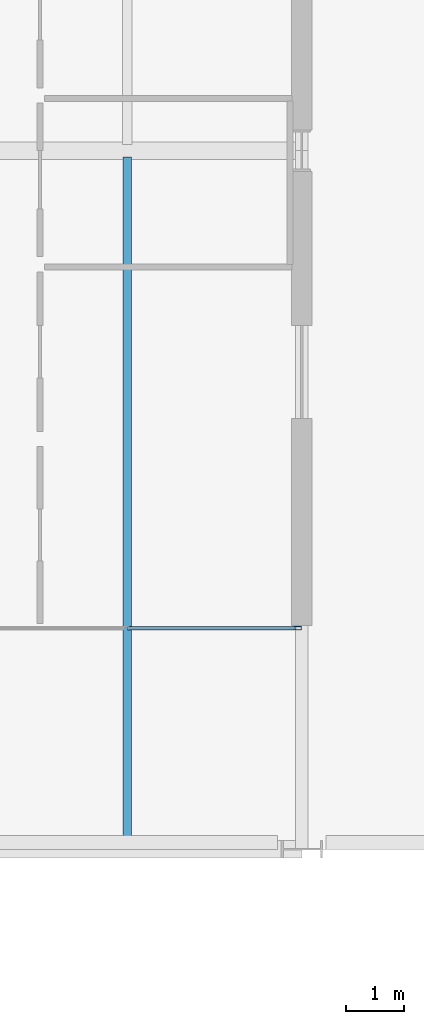
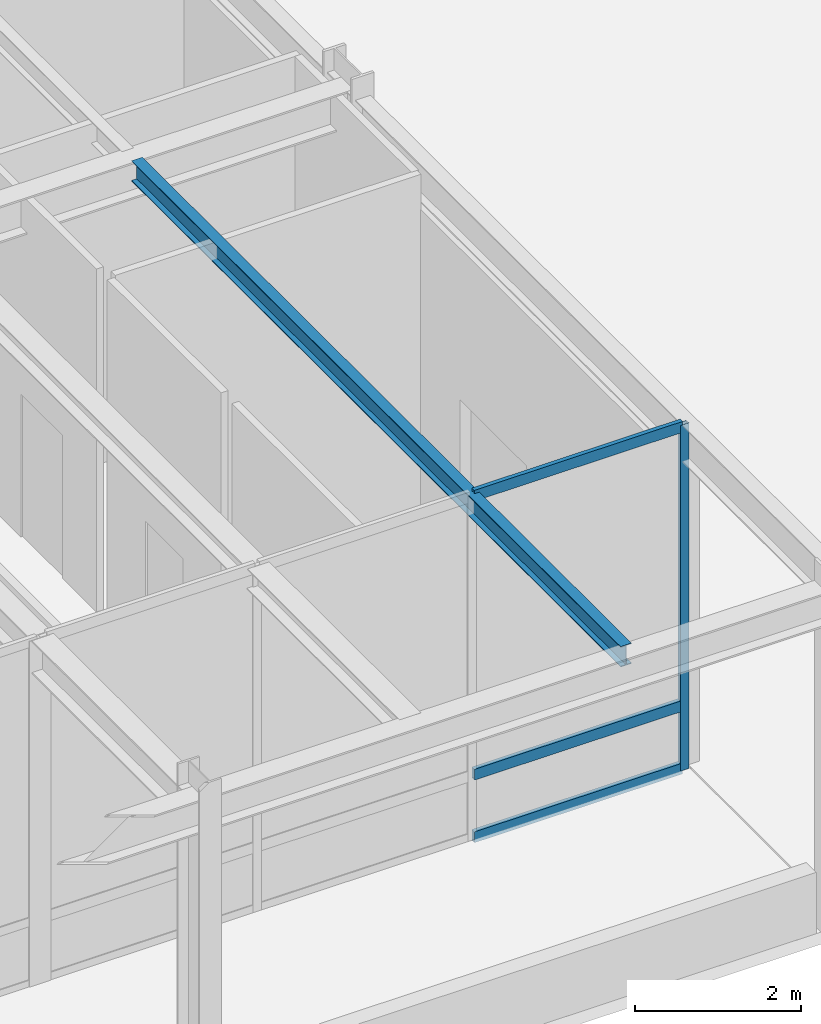
# One storey, part 93 of 143: 4 members, 1 beam, 1 element without a shape of its own.
"""IFC4 building model written with IfcOpenShell, lengths in metres."""

import ifcopenshell
import ifcopenshell.guid

model = None  # the IFC model being written
_history = None  # IfcOwnerHistory: only IFC2X3 demands one
_inside = {}  # id of a spatial element -> (the spatial element, [elements in it])
_under = {}  # id of a project, library or spatial element -> (it, [spatial elements below it])
_declared = {}  # id of a project -> (the project, [libraries it declares])
_typed = {}  # id of a type object -> (the type object, [elements of that type])
_made_of = {}  # id of a material, layer set ... -> (it, [elements and type objects made of it])


def new_model(schema):
    """Start an empty IFC model of exactly this schema.

    Asked for "IFC4X3", IfcOpenShell would pick the latest addendum, in which some entities
    have other attributes; the version numbers below select the first issue.
    IFC2X3 requires an IfcOwnerHistory on every rooted entity: one is made here for all.
    """
    global model, _history
    if schema == "IFC4X3":
        model = ifcopenshell.file(schema_version=(4, 3, 0, 0))
    else:
        model = ifcopenshell.file(schema=schema)
    _inside.clear()
    _under.clear()
    _declared.clear()
    _typed.clear()
    _made_of.clear()
    _history = None
    if model.schema == "IFC2X3":
        org = make("IfcOrganization", Name="unknown")
        user = make(
            "IfcPersonAndOrganization",
            ThePerson=make("IfcPerson", FamilyName="unknown"),
            TheOrganization=org,
        )
        app = make(
            "IfcApplication",
            ApplicationDeveloper=org,
            Version="unknown",
            ApplicationFullName="unknown",
            ApplicationIdentifier="unknown",
        )
        _history = make(
            "IfcOwnerHistory",
            OwningUser=user,
            OwningApplication=app,
            ChangeAction="ADDED",
            CreationDate=0,
        )
    return model


def make(cls, **values):
    """One entity of the class cls with the attributes given. An attribute that is None is left unset."""
    return model.create_entity(
        cls, **{name: value for name, value in values.items() if value is not None}
    )


def rooted(cls, **values):
    """An entity with a GlobalId (a new one), such as an element, a storey or a relation."""
    return make(cls, GlobalId=ifcopenshell.guid.new(), OwnerHistory=_history, **values)


def si_unit(unit_type, name, prefix=None):
    """IfcSIUnit, for example si_unit("LENGTHUNIT", "METRE", prefix="MILLI")."""
    return make("IfcSIUnit", UnitType=unit_type, Prefix=prefix, Name=name)


def assignment(units):
    """IfcUnitAssignment: the units of a project."""
    return None if units is None else make("IfcUnitAssignment", Units=units)


def point(xyz):
    """IfcCartesianPoint."""
    return None if xyz is None else make("IfcCartesianPoint", Coordinates=xyz)


def direction(xyz):
    """IfcDirection."""
    return None if xyz is None else make("IfcDirection", DirectionRatios=xyz)


def frame(location, z_axis=None, x_axis=None):
    """IfcAxis2Placement3D, a coordinate frame: its origin and axes. An axis left out is left unset."""
    return make(
        "IfcAxis2Placement3D",
        Location=point(location),
        Axis=direction(z_axis),
        RefDirection=direction(x_axis),
    )


def frame_2d(location, x_axis=None):
    """IfcAxis2Placement2D, a coordinate frame in the plane: its origin and x axis."""
    return make(
        "IfcAxis2Placement2D", Location=point(location), RefDirection=direction(x_axis)
    )


def origin():
    """The frame at (0, 0, 0) with its axes left unset."""
    return frame((0.0, 0.0, 0.0))


def origin_2d():
    """The frame at (0, 0) in the plane with its x axis left unset."""
    return frame_2d((0.0, 0.0))


def place(relative_to, where):
    """IfcLocalPlacement: puts the frame where relative to a parent placement (None: the world)."""
    return make(
        "IfcLocalPlacement", PlacementRelTo=relative_to, RelativePlacement=where
    )


def context(
    kind, dimensions, precision=None, world=None, true_north=None, identifier=None
):
    """IfcGeometricRepresentationContext, for example the 3D "Model" context."""
    return make(
        "IfcGeometricRepresentationContext",
        ContextIdentifier=identifier,
        ContextType=kind,
        CoordinateSpaceDimension=dimensions,
        Precision=precision,
        WorldCoordinateSystem=world,
        TrueNorth=true_north,
    )


def subcontext(parent, identifier, kind, view, scale=None):
    """IfcGeometricRepresentationSubContext, for example "Body" below "Model"."""
    return make(
        "IfcGeometricRepresentationSubContext",
        ContextIdentifier=identifier,
        ContextType=kind,
        ParentContext=parent,
        TargetScale=scale,
        TargetView=view,
    )


def project(units=None, contexts=None):
    """IfcProject with its units and contexts."""
    return rooted(
        "IfcProject",
        Name="project",
        RepresentationContexts=contexts,
        UnitsInContext=assignment(units),
    )


def spatial(cls, under=None, at=None, **own):
    """A site, building, storey or space (cls), placed at a placement, below another one or the project."""
    s = rooted(cls, ObjectPlacement=at, **own)
    if under is not None:
        _under.setdefault(under.id(), (under, []))[1].append(s)
    return s


def profile(cls, at=None, kind="AREA", **sizes):
    """A parametric profile (cls). Its sizes go by their IFC names, for example OverallWidth=200.0."""
    return make(cls, ProfileType=kind, Position=at, **sizes)


def hollow_rectangle(**sizes):
    """IfcRectangleHollowProfileDef."""
    return profile("IfcRectangleHollowProfileDef", **sizes)


def i_section(**sizes):
    """IfcIShapeProfileDef."""
    return profile("IfcIShapeProfileDef", **sizes)


def extrude(swept, where, along, depth):
    """IfcExtrudedAreaSolid: the profile swept, set in the frame where, extruded along a direction by depth."""
    return make(
        "IfcExtrudedAreaSolid",
        SweptArea=swept,
        Position=where,
        ExtrudedDirection=direction(along),
        Depth=depth,
    )


def shape(context_of_items, identifier, shape_type, items):
    """IfcShapeRepresentation: the items that make up one representation, for example the "Body"."""
    return make(
        "IfcShapeRepresentation",
        ContextOfItems=context_of_items,
        RepresentationIdentifier=identifier,
        RepresentationType=shape_type,
        Items=items,
    )


def material(Name=None, Category=None):
    """IfcMaterial."""
    return make("IfcMaterial", Name=Name, Category=Category)


def layer(
    of_material, thickness, ventilated=None, Name=None, Category=None, Priority=None
):
    """IfcMaterialLayer: one layer of a wall or slab, of a material (None: an air gap)."""
    return make(
        "IfcMaterialLayer",
        Material=of_material,
        LayerThickness=thickness,
        IsVentilated=ventilated,
        Name=Name,
        Category=Category,
        Priority=Priority,
    )


def layer_set(layers, Name=None):
    """IfcMaterialLayerSet."""
    return make("IfcMaterialLayerSet", MaterialLayers=layers, LayerSetName=Name)


def material_profile(
    of_material, cross_section, Name=None, Category=None, Priority=None
):
    """IfcMaterialProfile: a cross section and its material."""
    return make(
        "IfcMaterialProfile",
        Name=Name,
        Material=of_material,
        Profile=cross_section,
        Priority=Priority,
        Category=Category,
    )


def profile_set(profiles, Name=None, composite=None):
    """IfcMaterialProfileSet."""
    return make(
        "IfcMaterialProfileSet",
        Name=Name,
        MaterialProfiles=profiles,
        CompositeProfile=composite,
    )


def made_of(thing, what):
    """Note that an element or type object is made of a material, layer set ...; save() writes the relation."""
    if what is not None:
        _made_of.setdefault(what.id(), (what, []))[1].append(thing)
    return thing


def type_object(cls, material=None, **own):
    """A type object (cls), such as IfcWallType, which elements share."""
    return made_of(rooted(cls, **own), material)


def element(
    cls,
    number,
    at=None,
    inside=None,
    cuts=None,
    type_object=None,
    material=None,
    context=None,
    identifier="Body",
    shape_type=None,
    held_by="IfcProductDefinitionShape",
    body=None,
    shapes=None,
    **own,
):
    """One element of the class cls, such as IfcWall. Its Tag is "e" and its number.

    at: its placement. inside: the storey or other place that contains it. cuts: it is an
    opening in that element (IfcRelVoidsElement). A single representation is given by context,
    identifier, shape_type and body (its items); several are given by shapes. held_by: the class
    of the entity that holds the representations. save() writes the other relations.
    """
    e = rooted(cls, Tag="e%d" % number, ObjectPlacement=at, **own)
    if body is not None:
        shapes = [shape(context, identifier, shape_type, body)]
    if shapes is not None:
        e.Representation = make(held_by, Representations=shapes)
    if inside is not None:
        _inside.setdefault(inside.id(), (inside, []))[1].append(e)
    if cuts is not None:
        rooted(
            "IfcRelVoidsElement", RelatingBuildingElement=cuts, RelatedOpeningElement=e
        )
    if type_object is not None:
        _typed.setdefault(type_object.id(), (type_object, []))[1].append(e)
    return made_of(e, material)


def aggregate(whole, parts):
    """IfcRelAggregates: a whole, such as a stair, and the parts it consists of."""
    return rooted("IfcRelAggregates", RelatingObject=whole, RelatedObjects=parts)


def save(model, path):
    """Write the relations noted so far, then the file.

    IfcRelAggregates (storeys below a building ...), IfcRelContainedInSpatialStructure (elements
    in a storey), IfcRelDefinesByType, IfcRelAssociatesMaterial and IfcRelDeclares: one each for
    every whole, place, type object, material and project.
    """
    for whole, parts in _under.values():
        aggregate(whole, parts)
    for where, things in _inside.values():
        rooted(
            "IfcRelContainedInSpatialStructure",
            RelatedElements=things,
            RelatingStructure=where,
        )
    for kind, things in _typed.values():
        rooted("IfcRelDefinesByType", RelatedObjects=things, RelatingType=kind)
    for what, things in _made_of.values():
        rooted("IfcRelAssociatesMaterial", RelatedObjects=things, RelatingMaterial=what)
    for by, libraries in _declared.values():
        rooted("IfcRelDeclares", RelatingContext=by, RelatedDefinitions=libraries)
    model.write(path)


model = new_model("IFC4")

# Units and contexts
model_context = context("Model", 3, precision=1e-05, world=origin(), true_north=direction((0.0, 1.0)))
body_context = subcontext(model_context, "Body", "Model", "MODEL_VIEW")
ifc_project = project(units=[si_unit("LENGTHUNIT", "METRE"), si_unit("AREAUNIT", "SQUARE_METRE"), si_unit("VOLUMEUNIT", "CUBIC_METRE"), si_unit("PLANEANGLEUNIT", "RADIAN"), si_unit("MASSUNIT", "GRAM", prefix="KILO")], contexts=[model_context])

# Site, building, storey
site_placement = place(None, origin())
site = spatial("IfcSite", under=ifc_project, at=site_placement, CompositionType="ELEMENT")
building_placement = place(site_placement, origin())
building = spatial("IfcBuilding", under=site, at=building_placement, Name="Montelvaro Courts of Justice", CompositionType="ELEMENT")
storey_placement = place(building_placement, origin())
storey = spatial("IfcBuildingStorey", under=building, at=storey_placement, Name="L00", CompositionType="ELEMENT", Elevation=0.0)

# Beam
ifc_material_1 = material(Name="Steel S355", Category="steel")
ifc_material_profile_1 = material_profile(ifc_material_1, i_section(OverallWidth=0.14990234375, OverallDepth=0.300048828125, WebThickness=0.007080078125, FlangeThickness=0.0107421875, at=origin_2d()), Name="IPE 300")
ifc_profile_set_1 = profile_set([ifc_material_profile_1], Name="Steel S355")
beam_type = type_object("IfcBeamType", Name="Beam_IPE300", PredefinedType="BEAM", material=ifc_profile_set_1)
beam_placement = place(storey_placement, frame((132.0, 0.110107421875, 4.929931640625), z_axis=(0.0, 1.0, 0.0), x_axis=(-1.0, 0.0, 0.0)))
element("IfcBeam", 1, at=beam_placement, inside=storey, type_object=beam_type, Name="Beam B-05 L00", PredefinedType="BEAM", context=body_context, shape_type="SweptSolid", body=[
    extrude(i_section(OverallWidth=0.14990234375, OverallDepth=0.300048828125, WebThickness=0.007080078125, FlangeThickness=0.0107421875, at=origin_2d()), origin(), (0.0, 0.0, 1.0), 11.77978515625),
])

# Curtain wall, members
ifc_material_2 = material(Name="Anodised aluminium EN AW-6063", Category="aluminium")
ifc_layer = layer(ifc_material_2, 0.159912109375)
ifc_layer_set = layer_set([ifc_layer], Name="Anodised aluminium EN AW-6063")
curtain_wall_type = type_object("IfcCurtainWallType", Name="CurtainWall_10_896x508", PredefinedType="USERDEFINED", material=ifc_layer_set)
curtain_wall_placement = place(storey_placement, origin())
curtain_wall = element("IfcCurtainWall", 2, at=curtain_wall_placement, inside=storey, type_object=curtain_wall_type, Name="Curtain Wall CW-10 (L00)", ObjectType="CURTAIN WALL", PredefinedType="USERDEFINED")
ifc_material_profile_2 = material_profile(ifc_material_2, hollow_rectangle(XDim=0.06005859375, YDim=0.1201171875, WallThickness=0.00341796875, at=origin_2d()), Name="ALU-M 60x120")
ifc_profile_set_2 = profile_set([ifc_material_profile_2], Name="Anodised aluminium EN AW-6063")
member_type_1 = type_object("IfcMemberType", Name="CurtainWall_Mullion_60x120", PredefinedType="MULLION", material=ifc_profile_set_2)
member_1_placement = place(storey_placement, frame((134.929931640625, 3.800048828125, 0.0), z_axis=(0.0, 0.0, 1.0), x_axis=(0.0, 1.0, 0.0)))
member_1 = element("IfcMember", 3, at=member_1_placement, type_object=member_type_1, Name="CW-10 mullion 4", PredefinedType="MULLION", context=body_context, shape_type="SweptSolid", body=[
    extrude(hollow_rectangle(XDim=0.06005859375, YDim=0.1201171875, WallThickness=0.00341796875, at=origin_2d()), origin(), (0.0, 0.0, 1.0), 5.080078125),
])
ifc_material_profile_3 = material_profile(ifc_material_2, hollow_rectangle(XDim=0.06005859375, YDim=0.159912109375, WallThickness=0.00439453125, at=origin_2d()), Name="ALU-T 60x160")
ifc_profile_set_3 = profile_set([ifc_material_profile_3], Name="Anodised aluminium EN AW-6063")
member_type_2 = type_object("IfcMemberType", Name="CurtainWall_Transom_60x160", PredefinedType="USERDEFINED", material=ifc_profile_set_3)
member_2_placement = place(storey_placement, frame((132.00341796875, 3.800048828125, 0.030029296875), z_axis=(1.0, 0.0, 0.0), x_axis=(0.0, 1.0, 0.0)))
member_2 = element("IfcMember", 4, at=member_2_placement, type_object=member_type_2, Name="CW-10 transom 3.1", ObjectType="TRANSOM", PredefinedType="USERDEFINED", context=body_context, shape_type="SweptSolid", body=[
    extrude(hollow_rectangle(XDim=0.06005859375, YDim=0.159912109375, WallThickness=0.00439453125, at=origin_2d()), origin(), (0.0, 0.0, 1.0), 2.896484375),
])
member_3_placement = place(storey_placement, frame((132.00341796875, 3.800048828125, 0.949951171875), z_axis=(1.0, 0.0, 0.0), x_axis=(0.0, 1.0, 0.0)))
member_3 = element("IfcMember", 5, at=member_3_placement, type_object=member_type_2, Name="CW-10 transom 3.2", ObjectType="TRANSOM", PredefinedType="USERDEFINED", context=body_context, shape_type="SweptSolid", body=[
    extrude(hollow_rectangle(XDim=0.06005859375, YDim=0.159912109375, WallThickness=0.00439453125, at=origin_2d()), origin(), (0.0, 0.0, 1.0), 2.896484375),
])
member_4_placement = place(storey_placement, frame((132.00341796875, 3.800048828125, 5.050048828125), z_axis=(1.0, 0.0, 0.0), x_axis=(0.0, 1.0, 0.0)))
member_4 = element("IfcMember", 6, at=member_4_placement, type_object=member_type_2, Name="CW-10 transom 3.3", ObjectType="TRANSOM", PredefinedType="USERDEFINED", context=body_context, shape_type="SweptSolid", body=[
    extrude(hollow_rectangle(XDim=0.06005859375, YDim=0.159912109375, WallThickness=0.00439453125, at=origin_2d()), origin(), (0.0, 0.0, 1.0), 2.896484375),
])
aggregate(curtain_wall, [member_1, member_2, member_3, member_4])

save(model, "model.ifc")
